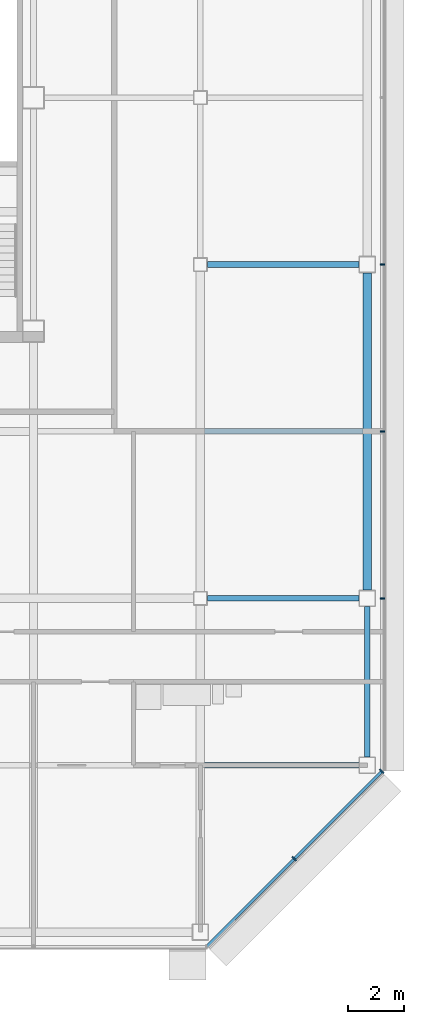
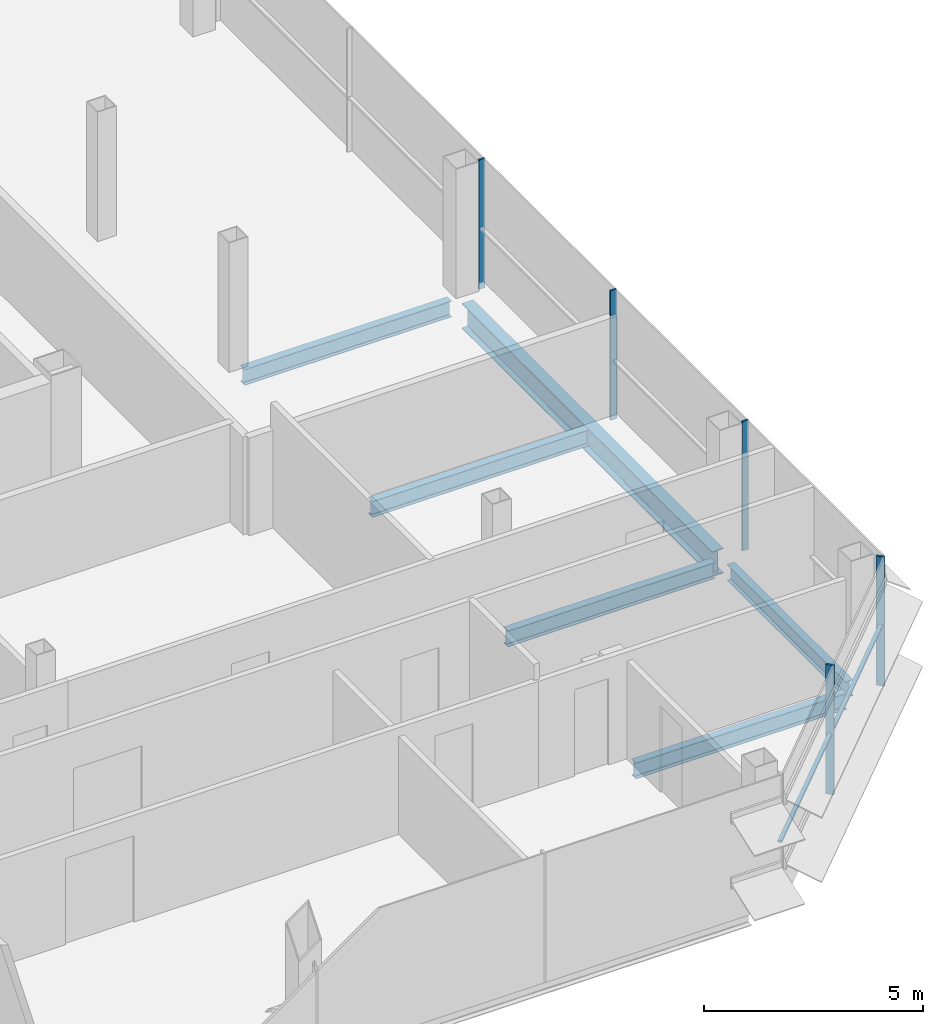
# One storey, part 17 of 28: 6 beams, 6 members, 2 elements without a shape of their own.
"""IFC4 building model written with IfcOpenShell, lengths in metres."""

from ifc_helpers import new_model, si_unit, direction, frame, origin, origin_2d, place, context, subcontext, project, spatial, rectangle, i_section, extrude, material, material_profile, profile_set, type_object, element, aggregate, save


model = new_model("IFC4")

# Units and contexts
model_context = context("Model", 3, precision=1e-05, world=origin(), true_north=direction((0.0, 1.0)))
body_context = subcontext(model_context, "Body", "Model", "MODEL_VIEW")
ifc_project = project(units=[si_unit("LENGTHUNIT", "METRE"), si_unit("AREAUNIT", "SQUARE_METRE"), si_unit("VOLUMEUNIT", "CUBIC_METRE"), si_unit("PLANEANGLEUNIT", "RADIAN"), si_unit("MASSUNIT", "GRAM", prefix="KILO")], contexts=[model_context])

# Site, building, storey
site_placement = place(None, origin())
site = spatial("IfcSite", under=ifc_project, at=site_placement, CompositionType="ELEMENT")
building_placement = place(site_placement, origin())
building = spatial("IfcBuilding", under=site, at=building_placement, Name="Sorahane Residences", CompositionType="ELEMENT")
storey_placement = place(building_placement, frame((0.0, 0.0, 266.60009765625)))
storey = spatial("IfcBuildingStorey", under=building, at=storey_placement, Name="L63", CompositionType="ELEMENT", Elevation=266.60009765625)

# Curtain wall, members
ifc_material_1 = material(Name="Dark low-e glass and black anodised aluminium", Category="aluminium")
curtain_wall_type_1 = type_object("IfcCurtainWallType", Name="Curtain wall CW-1 Typical unitised wall", PredefinedType="NOTDEFINED", material=ifc_material_1)
curtain_wall_1_placement = place(storey_placement, origin())
curtain_wall_1 = element("IfcCurtainWall", 1, at=curtain_wall_1_placement, inside=storey, type_object=curtain_wall_type_1, Name="CW-1 curtain wall L63 E1", PredefinedType="NOTDEFINED")
ifc_material_2 = material(Name="Black anodised aluminium", Category="aluminium")
ifc_material_profile_1 = material_profile(ifc_material_2, rectangle(XDim=0.159912109375, YDim=0.050048828125, at=origin_2d()), Name="Curtain wall mullion CW-1 black anodised aluminium 50x160")
ifc_profile_set_1 = profile_set([ifc_material_profile_1], Name="Black anodised aluminium")
member_type_1 = type_object("IfcMemberType", Name="Curtain wall mullion CW-1 black anodised aluminium 50x160", PredefinedType="MULLION", material=ifc_profile_set_1)
member_1_placement = place(storey_placement, frame((54.5400390625, 12.0, -0.18017578125), z_axis=(0.0, 0.0, 1.0), x_axis=(1.0, 0.0, 0.0)))
member_1 = element("IfcMember", 2, at=member_1_placement, type_object=member_type_1, Name="CW-1 mullion L63 E1.2", PredefinedType="MULLION", context=body_context, shape_type="SweptSolid", body=[
    extrude(rectangle(XDim=0.159912109375, YDim=0.050048828125, at=origin_2d()), origin(), (0.0, 0.0, 1.0), 3.60009765625),
])
member_2_placement = place(storey_placement, frame((54.5400390625, 18.0, -0.18017578125), z_axis=(0.0, 0.0, 1.0), x_axis=(1.0, 0.0, 0.0)))
member_2 = element("IfcMember", 3, at=member_2_placement, type_object=member_type_1, Name="CW-1 mullion L63 E1.3", PredefinedType="MULLION", context=body_context, shape_type="SweptSolid", body=[
    extrude(rectangle(XDim=0.159912109375, YDim=0.050048828125, at=origin_2d()), origin(), (0.0, 0.0, 1.0), 3.60009765625),
])
member_3_placement = place(storey_placement, frame((54.5400390625, 24.0, -0.18017578125), z_axis=(0.0, 0.0, 1.0), x_axis=(1.0, 0.0, 0.0)))
member_3 = element("IfcMember", 4, at=member_3_placement, type_object=member_type_1, Name="CW-1 mullion L63 E1.4", PredefinedType="MULLION", context=body_context, shape_type="SweptSolid", body=[
    extrude(rectangle(XDim=0.159912109375, YDim=0.050048828125, at=origin_2d()), origin(), (0.0, 0.0, 1.0), 3.60009765625),
])
aggregate(curtain_wall_1, [member_1, member_2, member_3])

ifc_material_3 = material(Name="Dark low-e glass and black anodised aluminium", Category="aluminium")
curtain_wall_type_2 = type_object("IfcCurtainWallType", Name="Curtain wall CW-2 Chamfer unitised wall", PredefinedType="NOTDEFINED", material=ifc_material_3)
curtain_wall_2_placement = place(storey_placement, origin())
curtain_wall_2 = element("IfcCurtainWall", 5, at=curtain_wall_2_placement, inside=storey, type_object=curtain_wall_type_2, Name="CW-2 curtain wall L63 SE1", PredefinedType="NOTDEFINED")
ifc_material_4 = material(Name="Black anodised aluminium", Category="aluminium")
ifc_material_profile_2 = material_profile(ifc_material_4, rectangle(XDim=0.199951171875, YDim=0.050048828125, at=origin_2d()), Name="Curtain wall mullion CW-2 black anodised aluminium 50x200")
ifc_profile_set_2 = profile_set([ifc_material_profile_2], Name="Black anodised aluminium")
member_type_2 = type_object("IfcMemberType", Name="Curtain wall mullion CW-2 black anodised aluminium 50x200", PredefinedType="MULLION", material=ifc_profile_set_2)
member_4_placement = place(storey_placement, frame((51.36767578125, 2.63232421875, -0.18017578125), z_axis=(0.0, 0.0, 1.0), x_axis=(0.707106781187, -0.707106781187, 0.0)))
member_4 = element("IfcMember", 6, at=member_4_placement, type_object=member_type_2, Name="CW-2 mullion L63 SE1.2", PredefinedType="MULLION", context=body_context, shape_type="SweptSolid", body=[
    extrude(rectangle(XDim=0.199951171875, YDim=0.050048828125, at=origin_2d()), origin(), (0.0, 0.0, 1.0), 3.60009765625),
])
member_5_placement = place(storey_placement, frame((54.525634765625, 5.790283203125, -0.18017578125), z_axis=(0.0, 0.0, 1.0), x_axis=(0.707106781187, -0.707106781187, 0.0)))
member_5 = element("IfcMember", 7, at=member_5_placement, type_object=member_type_2, Name="CW-2 mullion L63 SE1.3", PredefinedType="MULLION", context=body_context, shape_type="SweptSolid", body=[
    extrude(rectangle(XDim=0.199951171875, YDim=0.050048828125, at=origin_2d()), origin(), (0.0, 0.0, 1.0), 3.60009765625),
])
ifc_material_5 = material(Name="Black anodised aluminium", Category="aluminium")
ifc_material_profile_3 = material_profile(ifc_material_5, rectangle(XDim=0.10009765625, YDim=0.06005859375, at=origin_2d()), Name="Curtain wall transom CW-2 black anodised aluminium 60x100")
ifc_profile_set_3 = profile_set([ifc_material_profile_3], Name="Black anodised aluminium")
member_type_3 = type_object("IfcMemberType", Name="Curtain wall transom CW-2 black anodised aluminium 60x100", PredefinedType="USERDEFINED", material=ifc_profile_set_3)
member_6_placement = place(storey_placement, frame((48.234375, -0.51513671875, 1.5), z_axis=(0.707106781187, 0.707106781187, 0.0), x_axis=(-0.707106781187, 0.707106781187, 0.0)))
member_6 = element("IfcMember", 8, at=member_6_placement, type_object=member_type_3, Name="CW-2 transom L63 SE1", ObjectType="TRANSOM", PredefinedType="USERDEFINED", context=body_context, shape_type="SweptSolid", body=[
    extrude(rectangle(XDim=0.10009765625, YDim=0.06005859375, at=origin_2d()), origin(), (0.0, 0.0, 1.0), 8.88232421875),
])
aggregate(curtain_wall_2, [member_4, member_5, member_6])

# Beams
ifc_material_6 = material(Name="Steel Q355B", Category="steel")
ifc_material_profile_4 = material_profile(ifc_material_6, i_section(OverallWidth=0.199951171875, OverallDepth=0.449951171875, WebThickness=0.009033203125, FlangeThickness=0.013916015625, FilletRadius=0.02001953125, at=origin_2d()), Name="HN 450x200x9x14")
ifc_profile_set_4 = profile_set([ifc_material_profile_4], Name="Steel Q355B")
beam_type_1 = type_object("IfcBeamType", Name="Steel floor beam HN 450x200x9x14 Q355B", PredefinedType="BEAM", material=ifc_profile_set_4)
for number, where, z_axis, x_axis, name in (
    (9, (48.25, 12.0, -0.405029296875), (1.0, 0.0, 0.0), (0.0, 1.0, 0.0), "Beam L63 010"),
    (10, (48.25, 24.0, -0.405029296875), (1.0, 0.0, 0.0), (0.0, 1.0, 0.0), "Beam L63 012"),
):
    element("IfcBeam", number, at=place(storey_placement, frame(where, z_axis=z_axis, x_axis=x_axis)), inside=storey, type_object=beam_type_1, Name=name, PredefinedType="BEAM", context=body_context, shape_type="SweptSolid", body=[
        extrude(i_section(OverallWidth=0.199951171875, OverallDepth=0.449951171875, WebThickness=0.009033203125, FlangeThickness=0.013916015625, FilletRadius=0.02001953125, at=origin_2d()), origin(), (0.0, 0.0, 1.0), 5.449951171875),
    ])
beam_1_placement = place(storey_placement, frame((54.0, 6.300048828125, -0.405029296875), z_axis=(0.0, 1.0, 0.0), x_axis=(-1.0, 0.0, 0.0)))
element("IfcBeam", 11, at=beam_1_placement, inside=storey, type_object=beam_type_1, Name="Beam L63 064", PredefinedType="BEAM", context=body_context, shape_type="SweptSolid", body=[
    extrude(i_section(OverallWidth=0.199951171875, OverallDepth=0.449951171875, WebThickness=0.009033203125, FlangeThickness=0.013916015625, FilletRadius=0.02001953125, at=origin_2d()), origin(), (0.0, 0.0, 1.0), 5.39990234375),
])
beam_2_placement = place(storey_placement, frame((48.14990234375, 6.0, -0.405029296875), z_axis=(1.0, 0.0, 0.0), x_axis=(0.0, 1.0, 0.0)))
element("IfcBeam", 12, at=beam_2_placement, inside=storey, type_object=beam_type_1, Name="Beam L63 077", PredefinedType="BEAM", context=body_context, shape_type="SweptSolid", body=[
    extrude(i_section(OverallWidth=0.199951171875, OverallDepth=0.449951171875, WebThickness=0.009033203125, FlangeThickness=0.013916015625, FilletRadius=0.02001953125, at=origin_2d()), origin(), (0.0, 0.0, 1.0), 5.550048828125),
])
beam_3_placement = place(storey_placement, frame((48.14990234375, 18.0, -0.405029296875), z_axis=(1.0, 0.0, 0.0), x_axis=(0.0, 1.0, 0.0)))
element("IfcBeam", 13, at=beam_3_placement, inside=storey, type_object=beam_type_1, Name="Beam L63 084", PredefinedType="BEAM", context=body_context, shape_type="SweptSolid", body=[
    extrude(i_section(OverallWidth=0.199951171875, OverallDepth=0.449951171875, WebThickness=0.009033203125, FlangeThickness=0.013916015625, FilletRadius=0.02001953125, at=origin_2d()), origin(), (0.0, 0.0, 1.0), 5.7001953125),
])
ifc_material_7 = material(Name="Steel Q355B", Category="steel")
ifc_material_profile_5 = material_profile(ifc_material_7, i_section(OverallWidth=0.300048828125, OverallDepth=0.699951171875, WebThickness=0.012939453125, FlangeThickness=0.02392578125, FilletRadius=0.028076171875, at=origin_2d()), Name="HN 700x300x13x24")
ifc_profile_set_5 = profile_set([ifc_material_profile_5], Name="Steel Q355B")
beam_type_2 = type_object("IfcBeamType", Name="Steel floor beam HN 700x300x13x24 Q355B", PredefinedType="BEAM", material=ifc_profile_set_5)
beam_4_placement = place(storey_placement, frame((54.0, 12.300048828125, -0.530029296875), z_axis=(0.0, 1.0, 0.0), x_axis=(-1.0, 0.0, 0.0)))
element("IfcBeam", 14, at=beam_4_placement, inside=storey, type_object=beam_type_2, Name="Beam L63 065", PredefinedType="BEAM", context=body_context, shape_type="SweptSolid", body=[
    extrude(i_section(OverallWidth=0.300048828125, OverallDepth=0.699951171875, WebThickness=0.012939453125, FlangeThickness=0.02392578125, FilletRadius=0.028076171875, at=origin_2d()), origin(), (0.0, 0.0, 1.0), 11.39990234375),
])

save(model, "model.ifc")
